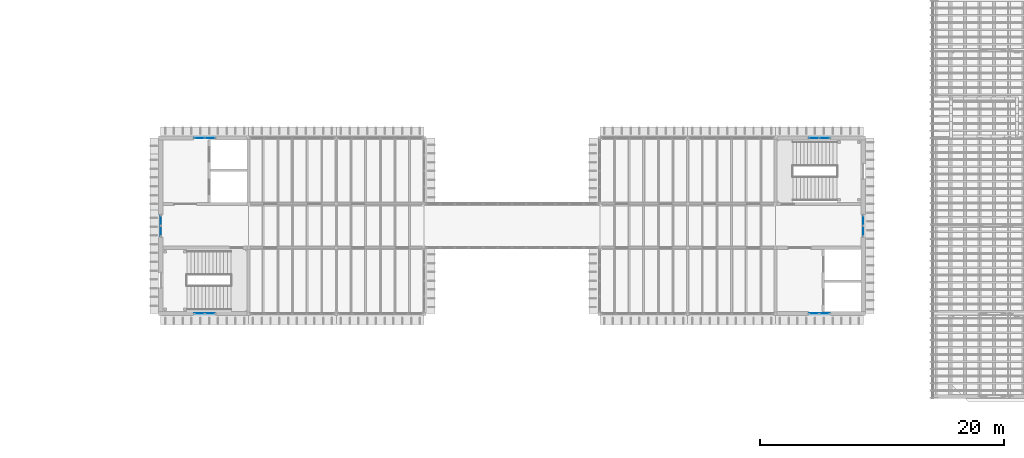
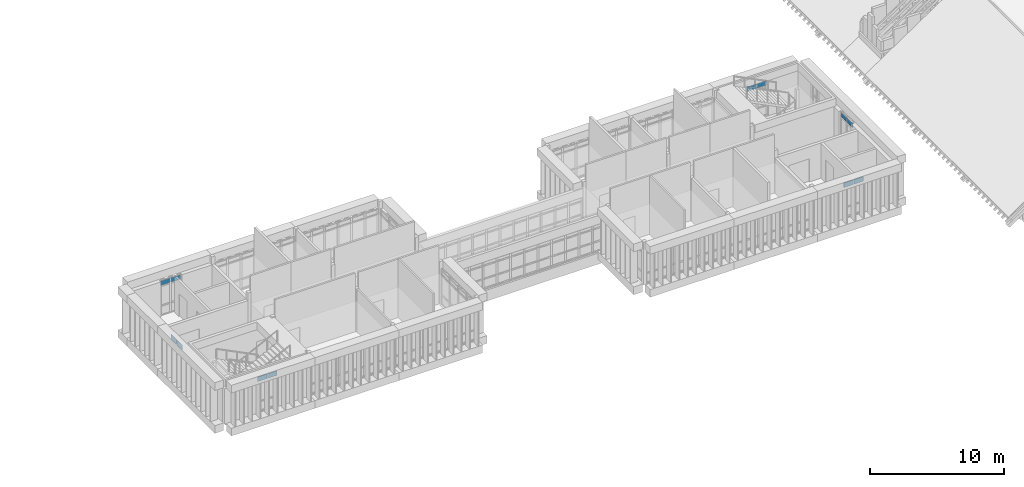
# One storey, part 31 of 51: 12 plates, 6 elements without a shape of their own.
"""IFC4 building model written with IfcOpenShell, lengths in metres."""

from ifc_helpers import new_model, si_unit, direction, frame, origin, origin_2d, place, context, subcontext, project, spatial, rectangle, extrude, material, layer, layer_set, type_object, element, aggregate, save


model = new_model("IFC4")

# Units and contexts
model_context = context("Model", 3, precision=1e-05, world=origin(), true_north=direction((0.0, 1.0)))
body_context = subcontext(model_context, "Body", "Model", "MODEL_VIEW")
ifc_project = project(units=[si_unit("LENGTHUNIT", "METRE"), si_unit("AREAUNIT", "SQUARE_METRE"), si_unit("VOLUMEUNIT", "CUBIC_METRE"), si_unit("PLANEANGLEUNIT", "RADIAN"), si_unit("MASSUNIT", "GRAM", prefix="KILO")], contexts=[model_context])

# Site, building, storey
site_placement = place(None, origin())
site = spatial("IfcSite", under=ifc_project, at=site_placement, CompositionType="ELEMENT")
building_placement = place(site_placement, origin())
building = spatial("IfcBuilding", under=site, at=building_placement, Name="Mazhai Court Health Centre", CompositionType="ELEMENT")
storey_placement = place(building_placement, frame((0.0, 0.0, 14.10009765625)))
storey = spatial("IfcBuildingStorey", under=building, at=storey_placement, Name="L03", CompositionType="ELEMENT", Elevation=14.10009765625)

# Curtain wall, plates
ifc_material_1 = material(Name="Teak timber frame, glazed", Category="wood")
ifc_layer_1 = layer(ifc_material_1, 0.10009765625)
ifc_layer_set_1 = layer_set([ifc_layer_1], Name="CURTAIN WALL TIMBER 900")
curtain_wall_type = type_object("IfcCurtainWallType", Name="CURTAIN WALL TIMBER 900", PredefinedType="NOTDEFINED", material=ifc_layer_set_1)
curtain_wall_1_placement = place(storey_placement, origin())
curtain_wall_1 = element("IfcCurtainWall", 1, at=curtain_wall_1_placement, inside=storey, type_object=curtain_wall_type, Name="CW-V4-L03-A0", PredefinedType="NOTDEFINED")
ifc_material_2 = material(Name="Glass IGU 28 mm", Category="glass")
ifc_layer_2 = layer(ifc_material_2, 0.028076171875)
ifc_layer_set_2 = layer_set([ifc_layer_2], Name="CW PANEL IGU 28")
plate_type = type_object("IfcPlateType", Name="CW PANEL IGU 28", PredefinedType="CURTAIN_PANEL", material=ifc_layer_set_2)
plate_1_placement = place(storey_placement, frame((75.034912109375, 13.39990234375, 2.72998046875), z_axis=(0.0, 0.0, 1.0), x_axis=(-1.0, 0.0, 0.0)))
plate_1 = element("IfcPlate", 2, at=plate_1_placement, type_object=plate_type, Name="CW panel 1.3", PredefinedType="CURTAIN_PANEL", context=body_context, shape_type="SweptSolid", body=[
    extrude(rectangle(XDim=0.81005859375, YDim=0.028076171875, at=origin_2d()), origin(), (0.0, 0.0, 1.0), 0.409912109375),
])
plate_2_placement = place(storey_placement, frame((74.1650390625, 13.39990234375, 2.72998046875), z_axis=(0.0, 0.0, 1.0), x_axis=(-1.0, 0.0, 0.0)))
plate_2 = element("IfcPlate", 3, at=plate_2_placement, type_object=plate_type, Name="CW panel 2.3", PredefinedType="CURTAIN_PANEL", context=body_context, shape_type="SweptSolid", body=[
    extrude(rectangle(XDim=0.81005859375, YDim=0.028076171875, at=origin_2d()), origin(), (0.0, 0.0, 1.0), 0.409912109375),
])
aggregate(curtain_wall_1, [plate_1, plate_2])

curtain_wall_2_placement = place(storey_placement, origin())
curtain_wall_2 = element("IfcCurtainWall", 4, at=curtain_wall_2_placement, inside=storey, type_object=curtain_wall_type, Name="CW-V4-L03-A7", PredefinedType="NOTDEFINED")
plate_3_placement = place(storey_placement, frame((125.43505859375, 13.39990234375, 2.72998046875), z_axis=(0.0, 0.0, 1.0), x_axis=(-1.0, 0.0, 0.0)))
plate_3 = element("IfcPlate", 5, at=plate_3_placement, type_object=plate_type, Name="CW panel 1.3", PredefinedType="CURTAIN_PANEL", context=body_context, shape_type="SweptSolid", body=[
    extrude(rectangle(XDim=0.81005859375, YDim=0.028076171875, at=origin_2d()), origin(), (0.0, 0.0, 1.0), 0.409912109375),
])
plate_4_placement = place(storey_placement, frame((124.56494140625, 13.39990234375, 2.72998046875), z_axis=(0.0, 0.0, 1.0), x_axis=(-1.0, 0.0, 0.0)))
plate_4 = element("IfcPlate", 6, at=plate_4_placement, type_object=plate_type, Name="CW panel 2.3", PredefinedType="CURTAIN_PANEL", context=body_context, shape_type="SweptSolid", body=[
    extrude(rectangle(XDim=0.81005859375, YDim=0.028076171875, at=origin_2d()), origin(), (0.0, 0.0, 1.0), 0.409912109375),
])
aggregate(curtain_wall_2, [plate_3, plate_4])

curtain_wall_3_placement = place(storey_placement, origin())
curtain_wall_3 = element("IfcCurtainWall", 7, at=curtain_wall_3_placement, inside=storey, type_object=curtain_wall_type, Name="CW-V4-L03-B0", PredefinedType="NOTDEFINED")
plate_5_placement = place(storey_placement, frame((74.1650390625, 27.800048828125, 2.72998046875), z_axis=(0.0, 0.0, 1.0), x_axis=(1.0, 0.0, 0.0)))
plate_5 = element("IfcPlate", 8, at=plate_5_placement, type_object=plate_type, Name="CW panel 1.3", PredefinedType="CURTAIN_PANEL", context=body_context, shape_type="SweptSolid", body=[
    extrude(rectangle(XDim=0.81005859375, YDim=0.028076171875, at=origin_2d()), origin(), (0.0, 0.0, 1.0), 0.409912109375),
])
plate_6_placement = place(storey_placement, frame((75.034912109375, 27.800048828125, 2.72998046875), z_axis=(0.0, 0.0, 1.0), x_axis=(1.0, 0.0, 0.0)))
plate_6 = element("IfcPlate", 9, at=plate_6_placement, type_object=plate_type, Name="CW panel 2.3", PredefinedType="CURTAIN_PANEL", context=body_context, shape_type="SweptSolid", body=[
    extrude(rectangle(XDim=0.81005859375, YDim=0.028076171875, at=origin_2d()), origin(), (0.0, 0.0, 1.0), 0.409912109375),
])
aggregate(curtain_wall_3, [plate_5, plate_6])

curtain_wall_4_placement = place(storey_placement, origin())
curtain_wall_4 = element("IfcCurtainWall", 10, at=curtain_wall_4_placement, inside=storey, type_object=curtain_wall_type, Name="CW-V4-L03-B7", PredefinedType="NOTDEFINED")
plate_7_placement = place(storey_placement, frame((124.56494140625, 27.800048828125, 2.72998046875), z_axis=(0.0, 0.0, 1.0), x_axis=(1.0, 0.0, 0.0)))
plate_7 = element("IfcPlate", 11, at=plate_7_placement, type_object=plate_type, Name="CW panel 1.3", PredefinedType="CURTAIN_PANEL", context=body_context, shape_type="SweptSolid", body=[
    extrude(rectangle(XDim=0.81005859375, YDim=0.028076171875, at=origin_2d()), origin(), (0.0, 0.0, 1.0), 0.409912109375),
])
plate_8_placement = place(storey_placement, frame((125.43505859375, 27.800048828125, 2.72998046875), z_axis=(0.0, 0.0, 1.0), x_axis=(1.0, 0.0, 0.0)))
plate_8 = element("IfcPlate", 12, at=plate_8_placement, type_object=plate_type, Name="CW panel 2.3", PredefinedType="CURTAIN_PANEL", context=body_context, shape_type="SweptSolid", body=[
    extrude(rectangle(XDim=0.81005859375, YDim=0.028076171875, at=origin_2d()), origin(), (0.0, 0.0, 1.0), 0.409912109375),
])
aggregate(curtain_wall_4, [plate_7, plate_8])

curtain_wall_5_placement = place(storey_placement, origin())
curtain_wall_5 = element("IfcCurtainWall", 13, at=curtain_wall_5_placement, inside=storey, type_object=curtain_wall_type, Name="CW-V4-L03-SLIFT1", PredefinedType="NOTDEFINED")
plate_9_placement = place(storey_placement, frame((71.0, 20.1650390625, 2.72998046875), z_axis=(0.0, 0.0, 1.0), x_axis=(0.0, 1.0, 0.0)))
plate_9 = element("IfcPlate", 14, at=plate_9_placement, type_object=plate_type, Name="CW panel 1.3", PredefinedType="CURTAIN_PANEL", context=body_context, shape_type="SweptSolid", body=[
    extrude(rectangle(XDim=0.81005859375, YDim=0.028076171875, at=origin_2d()), origin(), (0.0, 0.0, 1.0), 0.409912109375),
])
plate_10_placement = place(storey_placement, frame((71.0, 21.034912109375, 2.72998046875), z_axis=(0.0, 0.0, 1.0), x_axis=(0.0, 1.0, 0.0)))
plate_10 = element("IfcPlate", 15, at=plate_10_placement, type_object=plate_type, Name="CW panel 2.3", PredefinedType="CURTAIN_PANEL", context=body_context, shape_type="SweptSolid", body=[
    extrude(rectangle(XDim=0.81005859375, YDim=0.028076171875, at=origin_2d()), origin(), (0.0, 0.0, 1.0), 0.409912109375),
])
aggregate(curtain_wall_5, [plate_9, plate_10])

curtain_wall_6_placement = place(storey_placement, origin())
curtain_wall_6 = element("IfcCurtainWall", 16, at=curtain_wall_6_placement, inside=storey, type_object=curtain_wall_type, Name="CW-V4-L03-ELIFT0", PredefinedType="NOTDEFINED")
plate_11_placement = place(storey_placement, frame((128.60009765625, 21.034912109375, 2.72998046875), z_axis=(0.0, 0.0, 1.0), x_axis=(0.0, -1.0, 0.0)))
plate_11 = element("IfcPlate", 17, at=plate_11_placement, type_object=plate_type, Name="CW panel 1.3", PredefinedType="CURTAIN_PANEL", context=body_context, shape_type="SweptSolid", body=[
    extrude(rectangle(XDim=0.81005859375, YDim=0.028076171875, at=origin_2d()), origin(), (0.0, 0.0, 1.0), 0.409912109375),
])
plate_12_placement = place(storey_placement, frame((128.60009765625, 20.1650390625, 2.72998046875), z_axis=(0.0, 0.0, 1.0), x_axis=(0.0, -1.0, 0.0)))
plate_12 = element("IfcPlate", 18, at=plate_12_placement, type_object=plate_type, Name="CW panel 2.3", PredefinedType="CURTAIN_PANEL", context=body_context, shape_type="SweptSolid", body=[
    extrude(rectangle(XDim=0.81005859375, YDim=0.028076171875, at=origin_2d()), origin(), (0.0, 0.0, 1.0), 0.409912109375),
])
aggregate(curtain_wall_6, [plate_11, plate_12])

save(model, "model.ifc")
